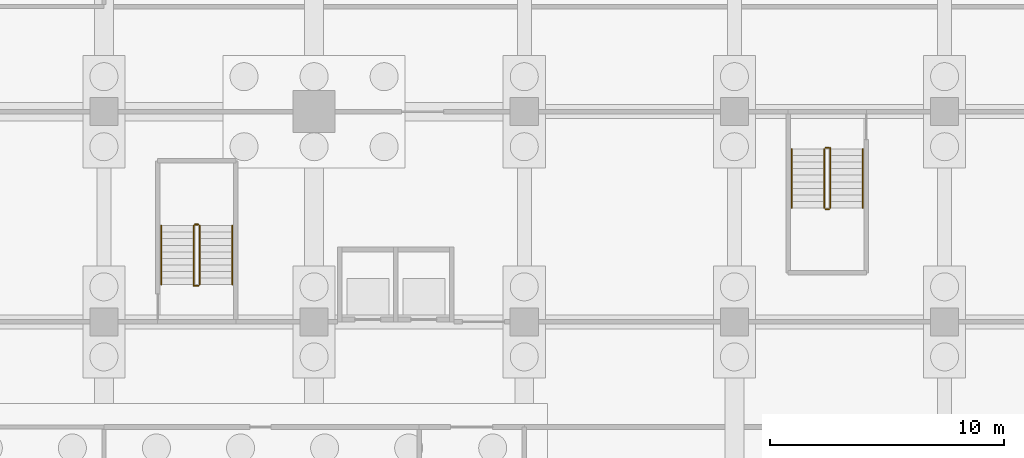
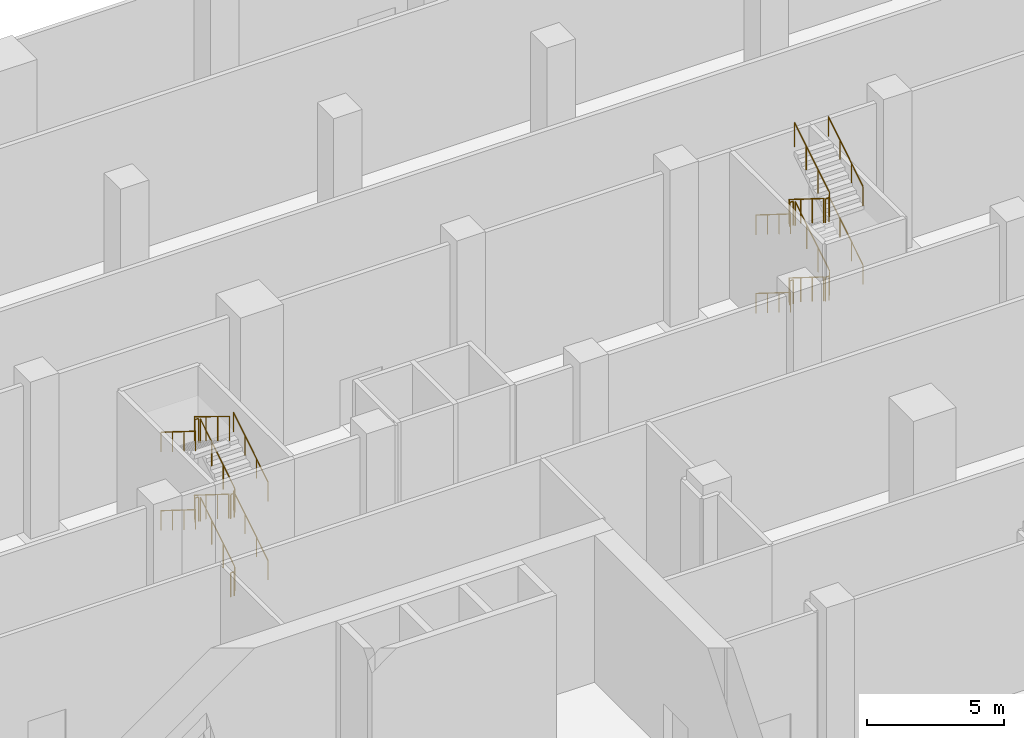
# One storey, part 20 of 23: 24 railings.
"""IFC4 building model written with IfcOpenShell, lengths in metres."""

from ifc_helpers import new_model, si_unit, direction, frame, origin, origin_2d, place, context, subcontext, project, spatial, circle, extrude, material, type_object, element, save


model = new_model("IFC4")

# Units and contexts
model_context = context("Model", 3, precision=1e-05, world=origin(), true_north=direction((0.0, 1.0)))
body_context = subcontext(model_context, "Body", "Model", "MODEL_VIEW")
ifc_project = project(units=[si_unit("LENGTHUNIT", "METRE"), si_unit("AREAUNIT", "SQUARE_METRE"), si_unit("VOLUMEUNIT", "CUBIC_METRE"), si_unit("PLANEANGLEUNIT", "RADIAN"), si_unit("MASSUNIT", "GRAM", prefix="KILO")], contexts=[model_context])

# Site, building, storey
site_placement = place(None, origin())
site = spatial("IfcSite", under=ifc_project, at=site_placement, CompositionType="ELEMENT")
building_placement = place(site_placement, origin())
building = spatial("IfcBuilding", under=site, at=building_placement, Name="Plateau Cross Towers", CompositionType="ELEMENT")
storey_placement = place(building_placement, frame((0.0, 0.0, -7.0)))
storey = spatial("IfcBuildingStorey", under=building, at=storey_placement, Name="B1", CompositionType="ELEMENT", Elevation=-7.0)

# Railings
ifc_material_1 = material(Name="Stainless steel and toughened glass", Category="steel")
railing_type_1 = type_object("IfcRailingType", Name="RL-GUARD-1100", PredefinedType="GUARDRAIL", material=ifc_material_1)
railing_1_placement = place(storey_placement, frame((13.10009765625, 28.60009765625, 0.175048828125)))
element("IfcRailing", 1, at=railing_1_placement, inside=storey, type_object=railing_type_1, Name="B1 PB1 stair guard 1", PredefinedType="GUARDRAIL", context=body_context, shape_type="SweptSolid", body=[
    extrude(circle(Radius=0.02392578125, at=origin_2d()), frame((0.0, 0.0, 1.076171875), z_axis=(0.0, 0.848007534815, 0.529984170421), x_axis=(-1.0, 0.0, 0.0)), (0.0, 0.0, 1.0), 2.9716796875),
    extrude(circle(Radius=0.02099609375, at=origin_2d()), origin(), (0.0, 0.0, 1.0), 1.052001953125),
    extrude(circle(Radius=0.02099609375, at=origin_2d()), frame((0.0, 0.840087890625, 0.52490234375)), (0.0, 0.0, 1.0), 1.052001953125),
    extrude(circle(Radius=0.02099609375, at=origin_2d()), frame((0.0, 1.679931640625, 1.050048828125)), (0.0, 0.0, 1.0), 1.052001953125),
    extrude(circle(Radius=0.02099609375, at=origin_2d()), frame((0.0, 2.52001953125, 1.574951171875)), (0.0, 0.0, 1.0), 1.052001953125),
])
railing_2_placement = place(storey_placement, frame((13.050048828125, 31.169921875, 1.75)))
element("IfcRailing", 2, at=railing_2_placement, inside=storey, type_object=railing_type_1, Name="B1 PB1 stair guard 2", PredefinedType="GUARDRAIL", context=body_context, shape_type="SweptSolid", body=[
    extrude(circle(Radius=0.02392578125, at=origin_2d()), frame((0.0, 0.0, 1.076171875), z_axis=(-1.0, 0.0, 0.0), x_axis=(0.0, -1.0, 0.0)), (0.0, 0.0, 1.0), 0.150146484375),
    extrude(circle(Radius=0.02099609375, at=origin_2d()), origin(), (0.0, 0.0, 1.0), 1.052001953125),
    extrude(circle(Radius=0.02099609375, at=origin_2d()), frame((-0.150146484375, 0.0, 0.0)), (0.0, 0.0, 1.0), 1.052001953125),
])
railing_3_placement = place(storey_placement, frame((12.85009765625, 31.1201171875, 1.925048828125)))
element("IfcRailing", 3, at=railing_3_placement, inside=storey, type_object=railing_type_1, Name="B1 PB1 stair guard 3", PredefinedType="GUARDRAIL", context=body_context, shape_type="SweptSolid", body=[
    extrude(circle(Radius=0.02392578125, at=origin_2d()), frame((0.0, 0.0, 1.076171875), z_axis=(0.0, -0.848007534815, 0.529984170421), x_axis=(1.0, 0.0, 0.0)), (0.0, 0.0, 1.0), 2.9716796875),
    extrude(circle(Radius=0.02099609375, at=origin_2d()), origin(), (0.0, 0.0, 1.0), 1.052001953125),
    extrude(circle(Radius=0.02099609375, at=origin_2d()), frame((0.0, -0.840087890625, 0.52490234375)), (0.0, 0.0, 1.0), 1.052001953125),
    extrude(circle(Radius=0.02099609375, at=origin_2d()), frame((0.0, -1.679931640625, 1.050048828125)), (0.0, 0.0, 1.0), 1.052001953125),
    extrude(circle(Radius=0.02099609375, at=origin_2d()), frame((0.0, -2.52001953125, 1.574951171875)), (0.0, 0.0, 1.0), 1.052001953125),
])
railing_4_placement = place(storey_placement, frame((13.050048828125, 28.550048828125, 3.5)))
element("IfcRailing", 4, at=railing_4_placement, inside=storey, type_object=railing_type_1, Name="B1 PB1 stair guard 4", PredefinedType="GUARDRAIL", context=body_context, shape_type="SweptSolid", body=[
    extrude(circle(Radius=0.02392578125, at=origin_2d()), frame((0.0, 0.0, 1.076171875), z_axis=(-1.0, 0.0, 0.0), x_axis=(0.0, -1.0, 0.0)), (0.0, 0.0, 1.0), 0.150146484375),
    extrude(circle(Radius=0.02099609375, at=origin_2d()), origin(), (0.0, 0.0, 1.0), 1.052001953125),
    extrude(circle(Radius=0.02099609375, at=origin_2d()), frame((-0.150146484375, 0.0, 0.0)), (0.0, 0.0, 1.0), 1.052001953125),
])
railing_5_placement = place(storey_placement, frame((13.10009765625, 28.60009765625, 3.675048828125)))
element("IfcRailing", 5, at=railing_5_placement, inside=storey, type_object=railing_type_1, Name="B1 PB1 stair guard 5", PredefinedType="GUARDRAIL", context=body_context, shape_type="SweptSolid", body=[
    extrude(circle(Radius=0.02392578125, at=origin_2d()), frame((0.0, 0.0, 1.076171875), z_axis=(0.0, 0.848007534815, 0.529984170421), x_axis=(-1.0, 0.0, 0.0)), (0.0, 0.0, 1.0), 2.9716796875),
    extrude(circle(Radius=0.02099609375, at=origin_2d()), origin(), (0.0, 0.0, 1.0), 1.052001953125),
    extrude(circle(Radius=0.02099609375, at=origin_2d()), frame((0.0, 0.840087890625, 0.52490234375)), (0.0, 0.0, 1.0), 1.052001953125),
    extrude(circle(Radius=0.02099609375, at=origin_2d()), frame((0.0, 1.679931640625, 1.050048828125)), (0.0, 0.0, 1.0), 1.052001953125),
    extrude(circle(Radius=0.02099609375, at=origin_2d()), frame((0.0, 2.52001953125, 1.574951171875)), (0.0, 0.0, 1.0), 1.052001953125),
])
railing_6_placement = place(storey_placement, frame((13.050048828125, 31.169921875, 5.25)))
element("IfcRailing", 6, at=railing_6_placement, inside=storey, type_object=railing_type_1, Name="B1 PB1 stair guard 6", PredefinedType="GUARDRAIL", context=body_context, shape_type="SweptSolid", body=[
    extrude(circle(Radius=0.02392578125, at=origin_2d()), frame((0.0, 0.0, 1.076171875), z_axis=(-1.0, 0.0, 0.0), x_axis=(0.0, -1.0, 0.0)), (0.0, 0.0, 1.0), 0.150146484375),
    extrude(circle(Radius=0.02099609375, at=origin_2d()), origin(), (0.0, 0.0, 1.0), 1.052001953125),
    extrude(circle(Radius=0.02099609375, at=origin_2d()), frame((-0.150146484375, 0.0, 0.0)), (0.0, 0.0, 1.0), 1.052001953125),
])
railing_7_placement = place(storey_placement, frame((12.85009765625, 31.1201171875, 5.425048828125)))
element("IfcRailing", 7, at=railing_7_placement, inside=storey, type_object=railing_type_1, Name="B1 PB1 stair guard 7", PredefinedType="GUARDRAIL", context=body_context, shape_type="SweptSolid", body=[
    extrude(circle(Radius=0.02392578125, at=origin_2d()), frame((0.0, 0.0, 1.076171875), z_axis=(0.0, -0.852638500773, 0.522501279423), x_axis=(1.0, 0.0, 0.0)), (0.0, 0.0, 1.0), 3.01416015625),
    extrude(circle(Radius=0.02099609375, at=origin_2d()), origin(), (0.0, 0.0, 1.0), 1.052001953125),
    extrude(circle(Radius=0.02099609375, at=origin_2d()), frame((0.0, -0.856689453125, 0.52490234375)), (0.0, 0.0, 1.0), 1.052001953125),
    extrude(circle(Radius=0.02099609375, at=origin_2d()), frame((0.0, -1.71337890625, 1.050048828125)), (0.0, 0.0, 1.0), 1.052001953125),
    extrude(circle(Radius=0.02099609375, at=origin_2d()), frame((0.0, -2.570068359375, 1.574951171875)), (0.0, 0.0, 1.0), 1.052001953125),
])
railing_8_placement = place(storey_placement, frame((13.050048828125, 28.550048828125, 0.0)))
element("IfcRailing", 8, at=railing_8_placement, inside=storey, type_object=railing_type_1, Name="B1 PB1 stair guard 8", PredefinedType="GUARDRAIL", context=body_context, shape_type="SweptSolid", body=[
    extrude(circle(Radius=0.02392578125, at=origin_2d()), frame((0.0, 0.0, 1.076171875), z_axis=(-1.0, 0.0, 0.0), x_axis=(0.0, -1.0, 0.0)), (0.0, 0.0, 1.0), 0.150146484375),
    extrude(circle(Radius=0.02099609375, at=origin_2d()), origin(), (0.0, 0.0, 1.0), 1.052001953125),
    extrude(circle(Radius=0.02099609375, at=origin_2d()), frame((-0.150146484375, 0.0, 0.0)), (0.0, 0.0, 1.0), 1.052001953125),
])
railing_9_placement = place(storey_placement, frame((39.85009765625, 34.39990234375, 0.175048828125)))
element("IfcRailing", 9, at=railing_9_placement, inside=storey, type_object=railing_type_1, Name="B1 PB2 stair guard 1", PredefinedType="GUARDRAIL", context=body_context, shape_type="SweptSolid", body=[
    extrude(circle(Radius=0.02392578125, at=origin_2d()), frame((0.0, 0.0, 1.076171875), z_axis=(0.0, -0.848007534815, 0.529984170421), x_axis=(1.0, 0.0, 0.0)), (0.0, 0.0, 1.0), 2.9716796875),
    extrude(circle(Radius=0.02099609375, at=origin_2d()), origin(), (0.0, 0.0, 1.0), 1.052001953125),
    extrude(circle(Radius=0.02099609375, at=origin_2d()), frame((0.0, -0.840087890625, 0.52490234375)), (0.0, 0.0, 1.0), 1.052001953125),
    extrude(circle(Radius=0.02099609375, at=origin_2d()), frame((0.0, -1.679931640625, 1.050048828125)), (0.0, 0.0, 1.0), 1.052001953125),
    extrude(circle(Radius=0.02099609375, at=origin_2d()), frame((0.0, -2.52001953125, 1.574951171875)), (0.0, 0.0, 1.0), 1.052001953125),
])
railing_10_placement = place(storey_placement, frame((39.89990234375, 31.830078125, 1.75)))
element("IfcRailing", 10, at=railing_10_placement, inside=storey, type_object=railing_type_1, Name="B1 PB2 stair guard 2", PredefinedType="GUARDRAIL", context=body_context, shape_type="SweptSolid", body=[
    extrude(circle(Radius=0.02392578125, at=origin_2d()), frame((0.0, 0.0, 1.076171875), z_axis=(1.0, 0.0, 0.0), x_axis=(0.0, 1.0, 0.0)), (0.0, 0.0, 1.0), 0.150146484375),
    extrude(circle(Radius=0.02099609375, at=origin_2d()), origin(), (0.0, 0.0, 1.0), 1.052001953125),
    extrude(circle(Radius=0.02099609375, at=origin_2d()), frame((0.150146484375, 0.0, 0.0)), (0.0, 0.0, 1.0), 1.052001953125),
])
railing_11_placement = place(storey_placement, frame((40.10009765625, 31.8798828125, 1.925048828125)))
element("IfcRailing", 11, at=railing_11_placement, inside=storey, type_object=railing_type_1, Name="B1 PB2 stair guard 3", PredefinedType="GUARDRAIL", context=body_context, shape_type="SweptSolid", body=[
    extrude(circle(Radius=0.02392578125, at=origin_2d()), frame((0.0, 0.0, 1.076171875), z_axis=(0.0, 0.848007534815, 0.529984170421), x_axis=(-1.0, 0.0, 0.0)), (0.0, 0.0, 1.0), 2.9716796875),
    extrude(circle(Radius=0.02099609375, at=origin_2d()), origin(), (0.0, 0.0, 1.0), 1.052001953125),
    extrude(circle(Radius=0.02099609375, at=origin_2d()), frame((0.0, 0.840087890625, 0.52490234375)), (0.0, 0.0, 1.0), 1.052001953125),
    extrude(circle(Radius=0.02099609375, at=origin_2d()), frame((0.0, 1.679931640625, 1.050048828125)), (0.0, 0.0, 1.0), 1.052001953125),
    extrude(circle(Radius=0.02099609375, at=origin_2d()), frame((0.0, 2.52001953125, 1.574951171875)), (0.0, 0.0, 1.0), 1.052001953125),
])
railing_12_placement = place(storey_placement, frame((39.89990234375, 34.449951171875, 3.5)))
element("IfcRailing", 12, at=railing_12_placement, inside=storey, type_object=railing_type_1, Name="B1 PB2 stair guard 4", PredefinedType="GUARDRAIL", context=body_context, shape_type="SweptSolid", body=[
    extrude(circle(Radius=0.02392578125, at=origin_2d()), frame((0.0, 0.0, 1.076171875), z_axis=(1.0, 0.0, 0.0), x_axis=(0.0, 1.0, 0.0)), (0.0, 0.0, 1.0), 0.150146484375),
    extrude(circle(Radius=0.02099609375, at=origin_2d()), origin(), (0.0, 0.0, 1.0), 1.052001953125),
    extrude(circle(Radius=0.02099609375, at=origin_2d()), frame((0.150146484375, 0.0, 0.0)), (0.0, 0.0, 1.0), 1.052001953125),
])
railing_13_placement = place(storey_placement, frame((39.85009765625, 34.39990234375, 3.675048828125)))
element("IfcRailing", 13, at=railing_13_placement, inside=storey, type_object=railing_type_1, Name="B1 PB2 stair guard 5", PredefinedType="GUARDRAIL", context=body_context, shape_type="SweptSolid", body=[
    extrude(circle(Radius=0.02392578125, at=origin_2d()), frame((0.0, 0.0, 1.076171875), z_axis=(0.0, -0.848007534815, 0.529984170421), x_axis=(1.0, 0.0, 0.0)), (0.0, 0.0, 1.0), 2.9716796875),
    extrude(circle(Radius=0.02099609375, at=origin_2d()), origin(), (0.0, 0.0, 1.0), 1.052001953125),
    extrude(circle(Radius=0.02099609375, at=origin_2d()), frame((0.0, -0.840087890625, 0.52490234375)), (0.0, 0.0, 1.0), 1.052001953125),
    extrude(circle(Radius=0.02099609375, at=origin_2d()), frame((0.0, -1.679931640625, 1.050048828125)), (0.0, 0.0, 1.0), 1.052001953125),
    extrude(circle(Radius=0.02099609375, at=origin_2d()), frame((0.0, -2.52001953125, 1.574951171875)), (0.0, 0.0, 1.0), 1.052001953125),
])
railing_14_placement = place(storey_placement, frame((39.89990234375, 31.830078125, 5.25)))
element("IfcRailing", 14, at=railing_14_placement, inside=storey, type_object=railing_type_1, Name="B1 PB2 stair guard 6", PredefinedType="GUARDRAIL", context=body_context, shape_type="SweptSolid", body=[
    extrude(circle(Radius=0.02392578125, at=origin_2d()), frame((0.0, 0.0, 1.076171875), z_axis=(1.0, 0.0, 0.0), x_axis=(0.0, 1.0, 0.0)), (0.0, 0.0, 1.0), 0.150146484375),
    extrude(circle(Radius=0.02099609375, at=origin_2d()), origin(), (0.0, 0.0, 1.0), 1.052001953125),
    extrude(circle(Radius=0.02099609375, at=origin_2d()), frame((0.150146484375, 0.0, 0.0)), (0.0, 0.0, 1.0), 1.052001953125),
])
railing_15_placement = place(storey_placement, frame((40.10009765625, 31.8798828125, 5.425048828125)))
element("IfcRailing", 15, at=railing_15_placement, inside=storey, type_object=railing_type_1, Name="B1 PB2 stair guard 7", PredefinedType="GUARDRAIL", context=body_context, shape_type="SweptSolid", body=[
    extrude(circle(Radius=0.02392578125, at=origin_2d()), frame((0.0, 0.0, 1.076171875), z_axis=(0.0, 0.852638500773, 0.522501279423), x_axis=(-1.0, 0.0, 0.0)), (0.0, 0.0, 1.0), 3.01416015625),
    extrude(circle(Radius=0.02099609375, at=origin_2d()), origin(), (0.0, 0.0, 1.0), 1.052001953125),
    extrude(circle(Radius=0.02099609375, at=origin_2d()), frame((0.0, 0.856689453125, 0.52490234375)), (0.0, 0.0, 1.0), 1.052001953125),
    extrude(circle(Radius=0.02099609375, at=origin_2d()), frame((0.0, 1.71337890625, 1.050048828125)), (0.0, 0.0, 1.0), 1.052001953125),
    extrude(circle(Radius=0.02099609375, at=origin_2d()), frame((0.0, 2.570068359375, 1.574951171875)), (0.0, 0.0, 1.0), 1.052001953125),
])
railing_16_placement = place(storey_placement, frame((39.89990234375, 34.449951171875, 0.0)))
element("IfcRailing", 16, at=railing_16_placement, inside=storey, type_object=railing_type_1, Name="B1 PB2 stair guard 8", PredefinedType="GUARDRAIL", context=body_context, shape_type="SweptSolid", body=[
    extrude(circle(Radius=0.02392578125, at=origin_2d()), frame((0.0, 0.0, 1.076171875), z_axis=(1.0, 0.0, 0.0), x_axis=(0.0, 1.0, 0.0)), (0.0, 0.0, 1.0), 0.150146484375),
    extrude(circle(Radius=0.02099609375, at=origin_2d()), origin(), (0.0, 0.0, 1.0), 1.052001953125),
    extrude(circle(Radius=0.02099609375, at=origin_2d()), frame((0.150146484375, 0.0, 0.0)), (0.0, 0.0, 1.0), 1.052001953125),
])
ifc_material_2 = material(Name="Black anodised aluminium", Category="aluminium")
railing_type_2 = type_object("IfcRailingType", Name="RL-HANDRAIL-900", PredefinedType="HANDRAIL", material=ifc_material_2)
railing_17_placement = place(storey_placement, frame((14.5, 28.60009765625, 0.175048828125)))
element("IfcRailing", 17, at=railing_17_placement, inside=storey, type_object=railing_type_2, Name="B1 PB1 stair handrail 1", PredefinedType="HANDRAIL", context=body_context, shape_type="SweptSolid", body=[
    extrude(circle(Radius=0.02392578125, at=origin_2d()), frame((0.0, 0.0, 0.8759765625), z_axis=(0.0, 0.848007534815, 0.529984170421), x_axis=(-1.0, 0.0, 0.0)), (0.0, 0.0, 1.0), 2.9716796875),
    extrude(circle(Radius=0.02099609375, at=origin_2d()), origin(), (0.0, 0.0, 1.0), 0.851806640625),
    extrude(circle(Radius=0.02099609375, at=origin_2d()), frame((0.0, 0.840087890625, 0.52490234375)), (0.0, 0.0, 1.0), 0.851806640625),
    extrude(circle(Radius=0.02099609375, at=origin_2d()), frame((0.0, 1.679931640625, 1.050048828125)), (0.0, 0.0, 1.0), 0.851806640625),
    extrude(circle(Radius=0.02099609375, at=origin_2d()), frame((0.0, 2.52001953125, 1.574951171875)), (0.0, 0.0, 1.0), 0.851806640625),
])
railing_18_placement = place(storey_placement, frame((11.449951171875, 31.1201171875, 1.925048828125)))
element("IfcRailing", 18, at=railing_18_placement, inside=storey, type_object=railing_type_2, Name="B1 PB1 stair handrail 2", PredefinedType="HANDRAIL", context=body_context, shape_type="SweptSolid", body=[
    extrude(circle(Radius=0.02392578125, at=origin_2d()), frame((0.0, 0.0, 0.8759765625), z_axis=(0.0, -0.848007534815, 0.529984170421), x_axis=(1.0, 0.0, 0.0)), (0.0, 0.0, 1.0), 2.9716796875),
    extrude(circle(Radius=0.02099609375, at=origin_2d()), origin(), (0.0, 0.0, 1.0), 0.851806640625),
    extrude(circle(Radius=0.02099609375, at=origin_2d()), frame((0.0, -0.840087890625, 0.52490234375)), (0.0, 0.0, 1.0), 0.851806640625),
    extrude(circle(Radius=0.02099609375, at=origin_2d()), frame((0.0, -1.679931640625, 1.050048828125)), (0.0, 0.0, 1.0), 0.851806640625),
    extrude(circle(Radius=0.02099609375, at=origin_2d()), frame((0.0, -2.52001953125, 1.574951171875)), (0.0, 0.0, 1.0), 0.851806640625),
])
railing_19_placement = place(storey_placement, frame((14.5, 28.60009765625, 3.675048828125)))
element("IfcRailing", 19, at=railing_19_placement, inside=storey, type_object=railing_type_2, Name="B1 PB1 stair handrail 3", PredefinedType="HANDRAIL", context=body_context, shape_type="SweptSolid", body=[
    extrude(circle(Radius=0.02392578125, at=origin_2d()), frame((0.0, 0.0, 0.8759765625), z_axis=(0.0, 0.848007534815, 0.529984170421), x_axis=(-1.0, 0.0, 0.0)), (0.0, 0.0, 1.0), 2.9716796875),
    extrude(circle(Radius=0.02099609375, at=origin_2d()), origin(), (0.0, 0.0, 1.0), 0.851806640625),
    extrude(circle(Radius=0.02099609375, at=origin_2d()), frame((0.0, 0.840087890625, 0.52490234375)), (0.0, 0.0, 1.0), 0.851806640625),
    extrude(circle(Radius=0.02099609375, at=origin_2d()), frame((0.0, 1.679931640625, 1.050048828125)), (0.0, 0.0, 1.0), 0.851806640625),
    extrude(circle(Radius=0.02099609375, at=origin_2d()), frame((0.0, 2.52001953125, 1.574951171875)), (0.0, 0.0, 1.0), 0.851806640625),
])
for number, where, name in (
    (20, (11.449951171875, 31.1201171875, 5.425048828125), "B1 PB1 stair handrail 4"),
    (21, (38.449951171875, 34.39990234375, 0.175048828125), "B1 PB2 stair handrail 1"),
):
    element("IfcRailing", number, at=place(storey_placement, frame(where)), inside=storey, type_object=railing_type_2, Name=name, PredefinedType="HANDRAIL", context=body_context, shape_type="SweptSolid", body=[
        extrude(circle(Radius=0.02392578125, at=origin_2d()), frame((0.0, 0.0, 0.8759765625), z_axis=(0.0, -0.848007534815, 0.529984170421), x_axis=(1.0, 0.0, 0.0)), (0.0, 0.0, 1.0), 2.9716796875),
        extrude(circle(Radius=0.02099609375, at=origin_2d()), origin(), (0.0, 0.0, 1.0), 0.851806640625),
        extrude(circle(Radius=0.02099609375, at=origin_2d()), frame((0.0, -0.840087890625, 0.52490234375)), (0.0, 0.0, 1.0), 0.851806640625),
        extrude(circle(Radius=0.02099609375, at=origin_2d()), frame((0.0, -1.679931640625, 1.050048828125)), (0.0, 0.0, 1.0), 0.851806640625),
        extrude(circle(Radius=0.02099609375, at=origin_2d()), frame((0.0, -2.52001953125, 1.574951171875)), (0.0, 0.0, 1.0), 0.851806640625),
    ])
railing_20_placement = place(storey_placement, frame((41.5, 31.8798828125, 1.925048828125)))
element("IfcRailing", 22, at=railing_20_placement, inside=storey, type_object=railing_type_2, Name="B1 PB2 stair handrail 2", PredefinedType="HANDRAIL", context=body_context, shape_type="SweptSolid", body=[
    extrude(circle(Radius=0.02392578125, at=origin_2d()), frame((0.0, 0.0, 0.8759765625), z_axis=(0.0, 0.848007534815, 0.529984170421), x_axis=(-1.0, 0.0, 0.0)), (0.0, 0.0, 1.0), 2.9716796875),
    extrude(circle(Radius=0.02099609375, at=origin_2d()), origin(), (0.0, 0.0, 1.0), 0.851806640625),
    extrude(circle(Radius=0.02099609375, at=origin_2d()), frame((0.0, 0.840087890625, 0.52490234375)), (0.0, 0.0, 1.0), 0.851806640625),
    extrude(circle(Radius=0.02099609375, at=origin_2d()), frame((0.0, 1.679931640625, 1.050048828125)), (0.0, 0.0, 1.0), 0.851806640625),
    extrude(circle(Radius=0.02099609375, at=origin_2d()), frame((0.0, 2.52001953125, 1.574951171875)), (0.0, 0.0, 1.0), 0.851806640625),
])
railing_21_placement = place(storey_placement, frame((38.449951171875, 34.39990234375, 3.675048828125)))
element("IfcRailing", 23, at=railing_21_placement, inside=storey, type_object=railing_type_2, Name="B1 PB2 stair handrail 3", PredefinedType="HANDRAIL", context=body_context, shape_type="SweptSolid", body=[
    extrude(circle(Radius=0.02392578125, at=origin_2d()), frame((0.0, 0.0, 0.8759765625), z_axis=(0.0, -0.848007534815, 0.529984170421), x_axis=(1.0, 0.0, 0.0)), (0.0, 0.0, 1.0), 2.9716796875),
    extrude(circle(Radius=0.02099609375, at=origin_2d()), origin(), (0.0, 0.0, 1.0), 0.851806640625),
    extrude(circle(Radius=0.02099609375, at=origin_2d()), frame((0.0, -0.840087890625, 0.52490234375)), (0.0, 0.0, 1.0), 0.851806640625),
    extrude(circle(Radius=0.02099609375, at=origin_2d()), frame((0.0, -1.679931640625, 1.050048828125)), (0.0, 0.0, 1.0), 0.851806640625),
    extrude(circle(Radius=0.02099609375, at=origin_2d()), frame((0.0, -2.52001953125, 1.574951171875)), (0.0, 0.0, 1.0), 0.851806640625),
])
railing_22_placement = place(storey_placement, frame((41.5, 31.8798828125, 5.425048828125)))
element("IfcRailing", 24, at=railing_22_placement, inside=storey, type_object=railing_type_2, Name="B1 PB2 stair handrail 4", PredefinedType="HANDRAIL", context=body_context, shape_type="SweptSolid", body=[
    extrude(circle(Radius=0.02392578125, at=origin_2d()), frame((0.0, 0.0, 0.8759765625), z_axis=(0.0, 0.848007534815, 0.529984170421), x_axis=(-1.0, 0.0, 0.0)), (0.0, 0.0, 1.0), 2.9716796875),
    extrude(circle(Radius=0.02099609375, at=origin_2d()), origin(), (0.0, 0.0, 1.0), 0.851806640625),
    extrude(circle(Radius=0.02099609375, at=origin_2d()), frame((0.0, 0.840087890625, 0.52490234375)), (0.0, 0.0, 1.0), 0.851806640625),
    extrude(circle(Radius=0.02099609375, at=origin_2d()), frame((0.0, 1.679931640625, 1.050048828125)), (0.0, 0.0, 1.0), 0.851806640625),
    extrude(circle(Radius=0.02099609375, at=origin_2d()), frame((0.0, 2.52001953125, 1.574951171875)), (0.0, 0.0, 1.0), 0.851806640625),
])

save(model, "model.ifc")
